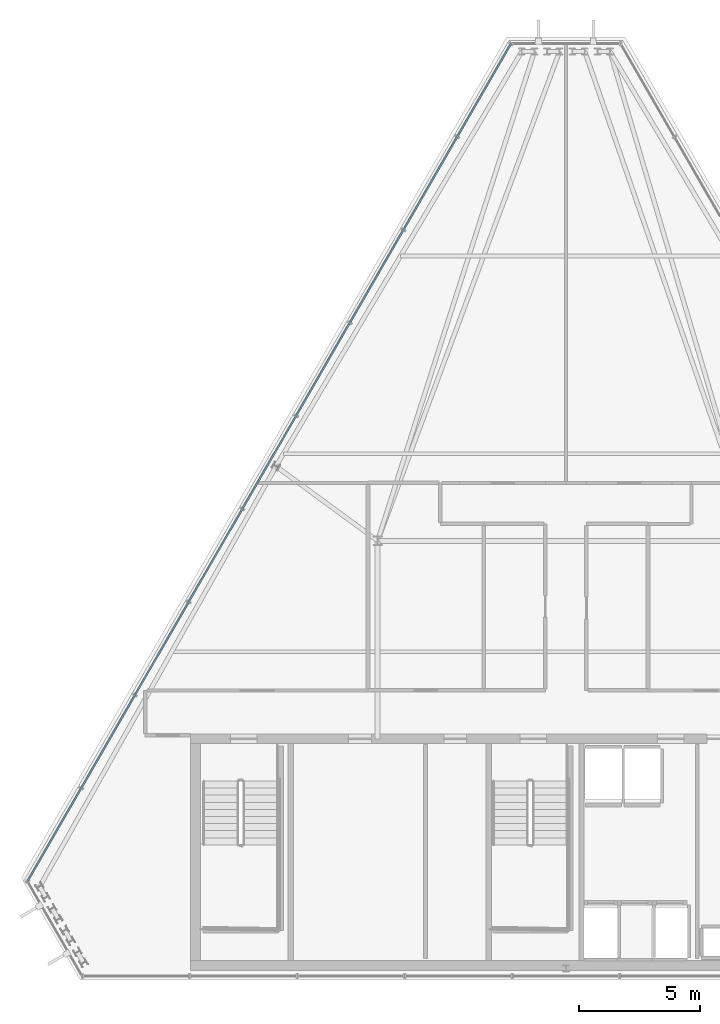
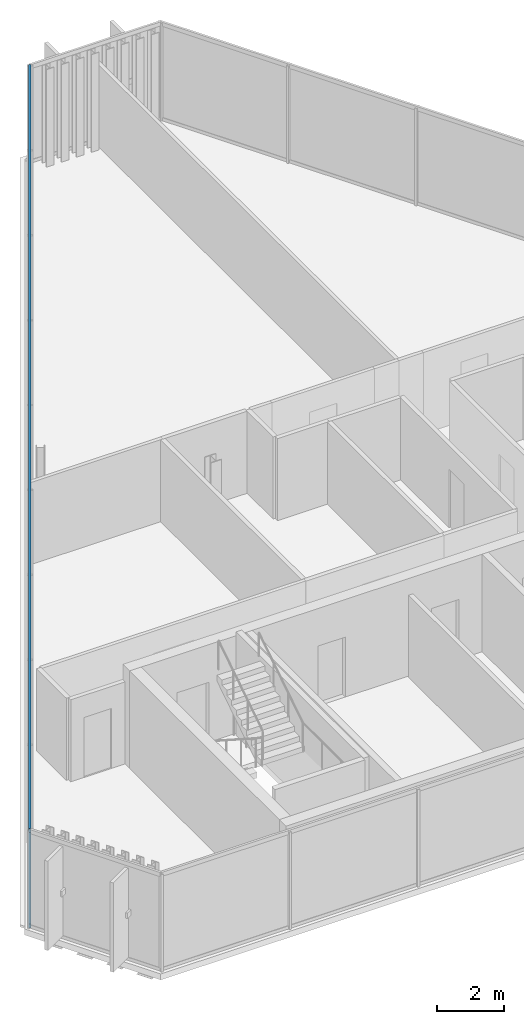
# One storey, part 12 of 32: 2 members, 1 element without a shape of its own.
"""IFC4 building model written with IfcOpenShell, lengths in metres."""

from ifc_helpers import new_model, si_unit, direction, frame, origin, origin_2d, place, context, subcontext, project, spatial, hollow_rectangle, extrude, material, layer, layer_set, material_profile, profile_set, type_object, element, aggregate, save


model = new_model("IFC4")

# Units and contexts
model_context = context("Model", 3, precision=1e-05, world=origin(), true_north=direction((0.0, 1.0)))
body_context = subcontext(model_context, "Body", "Model", "MODEL_VIEW")
ifc_project = project(units=[si_unit("LENGTHUNIT", "METRE"), si_unit("AREAUNIT", "SQUARE_METRE"), si_unit("VOLUMEUNIT", "CUBIC_METRE"), si_unit("PLANEANGLEUNIT", "RADIAN"), si_unit("MASSUNIT", "GRAM", prefix="KILO")], contexts=[model_context])

# Site, building, storey
site_placement = place(None, origin())
site = spatial("IfcSite", under=ifc_project, at=site_placement, CompositionType="ELEMENT")
building_placement = place(site_placement, origin())
building = spatial("IfcBuilding", under=site, at=building_placement, Name="Ndaravel Arena Tower", CompositionType="ELEMENT")
storey_placement = place(building_placement, frame((0.0, 0.0, 283.300048828125)))
storey = spatial("IfcBuildingStorey", under=building, at=storey_placement, Name="L69", CompositionType="ELEMENT", Elevation=283.300048828125)

# Curtain wall, members
ifc_material_1 = material(Name="Aluminium", Category="aluminium")
ifc_layer = layer(ifc_material_1, 0.179931640625)
ifc_layer_set = layer_set([ifc_layer], Name="Aluminium")
curtain_wall_type = type_object("IfcCurtainWallType", Name="CW-SYS-03", PredefinedType="NOTDEFINED", material=ifc_layer_set)
curtain_wall_placement = place(storey_placement, origin())
curtain_wall = element("IfcCurtainWall", 1, at=curtain_wall_placement, inside=storey, type_object=curtain_wall_type, Name="L69 Faceted Crystal Curtain Wall CW-L69-E05", PredefinedType="NOTDEFINED")
ifc_material_2 = material(Name="Aluminium", Category="aluminium")
ifc_material_profile = material_profile(ifc_material_2, hollow_rectangle(XDim=0.074951171875, YDim=0.14990234375, WallThickness=0.00390625, at=origin_2d()), Name="CW TRANSOM 75x150x4")
ifc_profile_set = profile_set([ifc_material_profile], Name="Aluminium")
member_type = type_object("IfcMemberType", Name="MEM-CW-TRN150", PredefinedType="USERDEFINED", material=ifc_profile_set)
member_1_placement = place(storey_placement, frame((39.7275390625, 43.797607421875, 0.0400390625), z_axis=(-0.499998114738, -0.866026492238, 0.0), x_axis=(0.866026492238, -0.499998114738, 0.0)))
member_1 = element("IfcMember", 2, at=member_1_placement, type_object=member_type, Name="CW-L69-E05 Transom 01", ObjectType="TRANSOM", PredefinedType="USERDEFINED", context=body_context, shape_type="SweptSolid", body=[
    extrude(hollow_rectangle(XDim=0.074951171875, YDim=0.14990234375, WallThickness=0.00390625, at=origin_2d()), origin(), (0.0, 0.0, 1.0), 40.070068359375),
])
member_2_placement = place(storey_placement, frame((39.7275390625, 43.797607421875, 3.5400390625), z_axis=(-0.499998114738, -0.866026492238, 0.0), x_axis=(0.866026492238, -0.499998114738, 0.0)))
member_2 = element("IfcMember", 3, at=member_2_placement, type_object=member_type, Name="CW-L69-E05 Transom 02", ObjectType="TRANSOM", PredefinedType="USERDEFINED", context=body_context, shape_type="SweptSolid", body=[
    extrude(hollow_rectangle(XDim=0.074951171875, YDim=0.14990234375, WallThickness=0.00390625, at=origin_2d()), origin(), (0.0, 0.0, 1.0), 40.070068359375),
])
aggregate(curtain_wall, [member_1, member_2])

save(model, "model.ifc")
